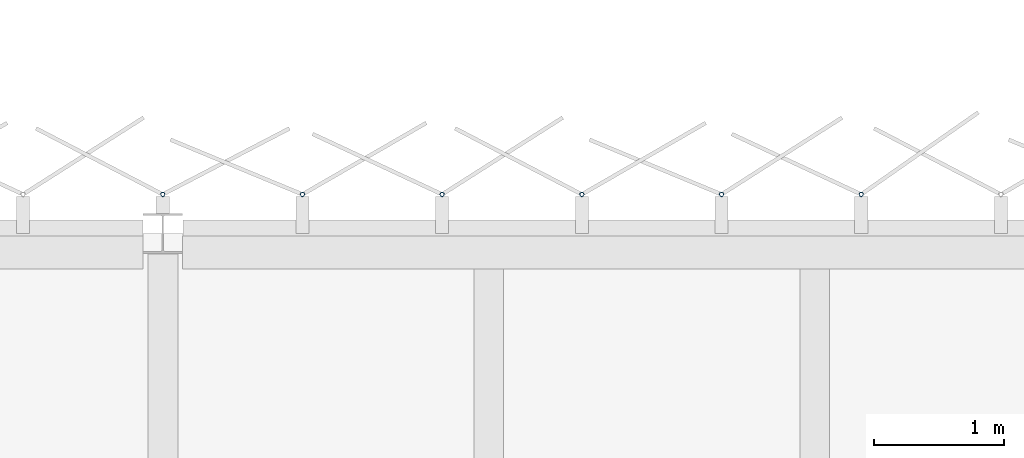
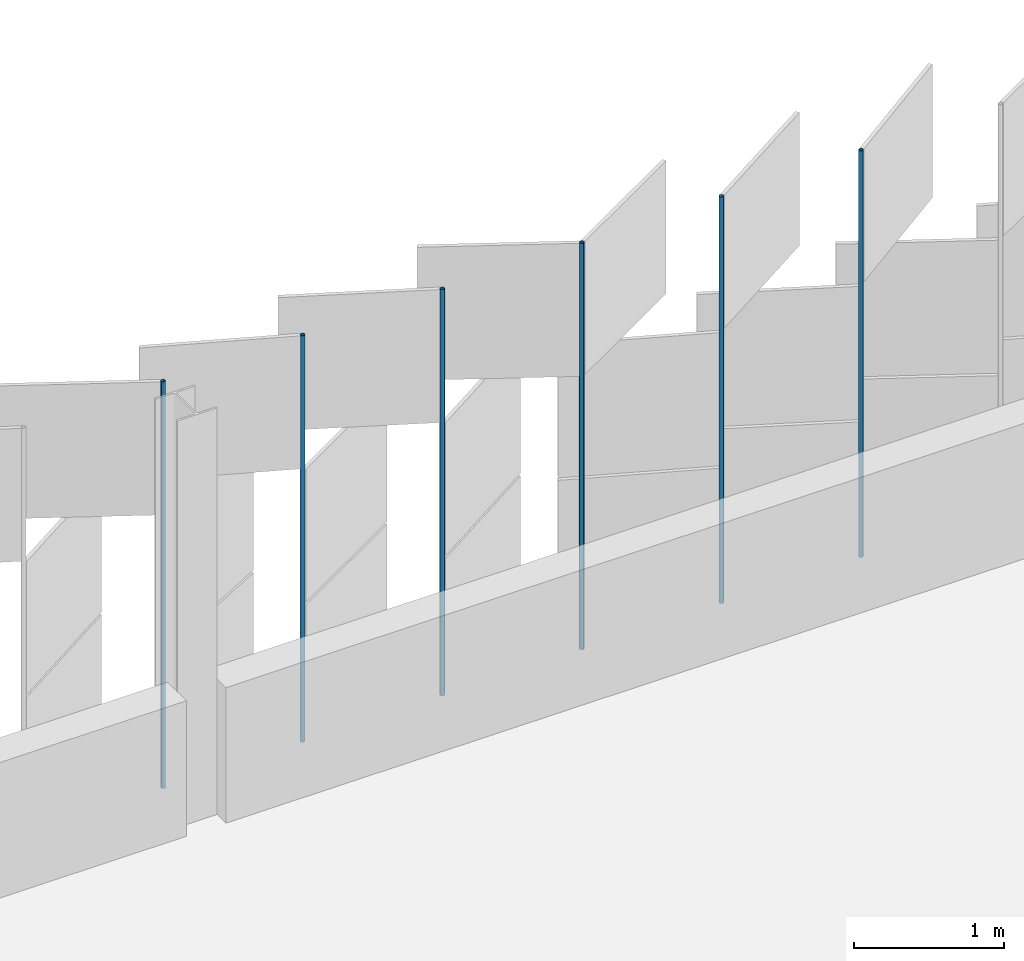
# One storey, part 153 of 198: 6 discrete accessories.
"""IFC4 building model written with IfcOpenShell, lengths in metres."""

from ifc_helpers import new_model, si_unit, direction, frame, origin, origin_2d, place, context, subcontext, project, spatial, hollow_circle, extrude, material, material_profile, profile_set, type_object, element, save


model = new_model("IFC4")

# Units and contexts
model_context = context("Model", 3, precision=1e-05, world=origin(), true_north=direction((0.0, 1.0)))
body_context = subcontext(model_context, "Body", "Model", "MODEL_VIEW")
ifc_project = project(units=[si_unit("LENGTHUNIT", "METRE"), si_unit("AREAUNIT", "SQUARE_METRE"), si_unit("VOLUMEUNIT", "CUBIC_METRE"), si_unit("PLANEANGLEUNIT", "RADIAN"), si_unit("MASSUNIT", "GRAM", prefix="KILO")], contexts=[model_context])

# Site, building, storey
site_placement = place(None, origin())
site = spatial("IfcSite", under=ifc_project, at=site_placement, CompositionType="ELEMENT")
building_placement = place(site_placement, origin())
building = spatial("IfcBuilding", under=site, at=building_placement, Name="Parallax Yard Mobility Hub", CompositionType="ELEMENT")
storey_placement = place(building_placement, frame((0.0, 0.0, 6.60009765625)))
storey = spatial("IfcBuildingStorey", under=building, at=storey_placement, Name="L02", CompositionType="ELEMENT", Elevation=6.60009765625)

# Discrete accessories
ifc_material = material(Name="Steel ASTM A500 Gr C, hot-dip galvanised", Category="steel")
ifc_material_profile = material_profile(ifc_material, hollow_circle(Radius=0.016845703125, WallThickness=0.003173828125, at=origin_2d()), Name="CHS 33.7x3.2")
ifc_profile_set = profile_set([ifc_material_profile], Name="Steel ASTM A500 Gr C, hot-dip galvanised")
discrete_accessory_type = type_object("IfcDiscreteAccessoryType", Name="Hinge post CHS 33.7x3.2", PredefinedType="BRACKET", material=ifc_profile_set)
for number, where, z_axis, x_axis, name in (
    (1, (155.35693359375, 142.800048828125, 0.0), (0.0, 0.0, 1.0), (1.0, 0.0, 0.0), "Hinge post bay 53.3 level L02"),
    (2, (154.285400390625, 142.800048828125, 0.0), (0.0, 0.0, 1.0), (1.0, 0.0, 0.0), "Hinge post bay 53.4 level L02"),
    (3, (153.2138671875, 142.800048828125, 0.0), (0.0, 0.0, 1.0), (1.0, 0.0, 0.0), "Hinge post bay 53.5 level L02"),
    (4, (152.142333984375, 142.800048828125, 0.0), (0.0, 0.0, 1.0), (1.0, 0.0, 0.0), "Hinge post bay 53.6 level L02"),
    (5, (151.07080078125, 142.800048828125, 0.0), (0.0, 0.0, 1.0), (1.0, 0.0, 0.0), "Hinge post bay 53.7 level L02"),
    (6, (149.999267578125, 142.800048828125, 0.0), (0.0, 0.0, 1.0), (1.0, 0.0, 0.0), "Hinge post bay 54.1 level L02"),
):
    element("IfcDiscreteAccessory", number, at=place(storey_placement, frame(where, z_axis=z_axis, x_axis=x_axis)), inside=storey, type_object=discrete_accessory_type, Name=name, PredefinedType="BRACKET", context=body_context, shape_type="SweptSolid", body=[
        extrude(hollow_circle(Radius=0.016845703125, WallThickness=0.003173828125, at=origin_2d()), origin(), (0.0, 0.0, 1.0), 3.2998046875),
    ])

save(model, "model.ifc")
